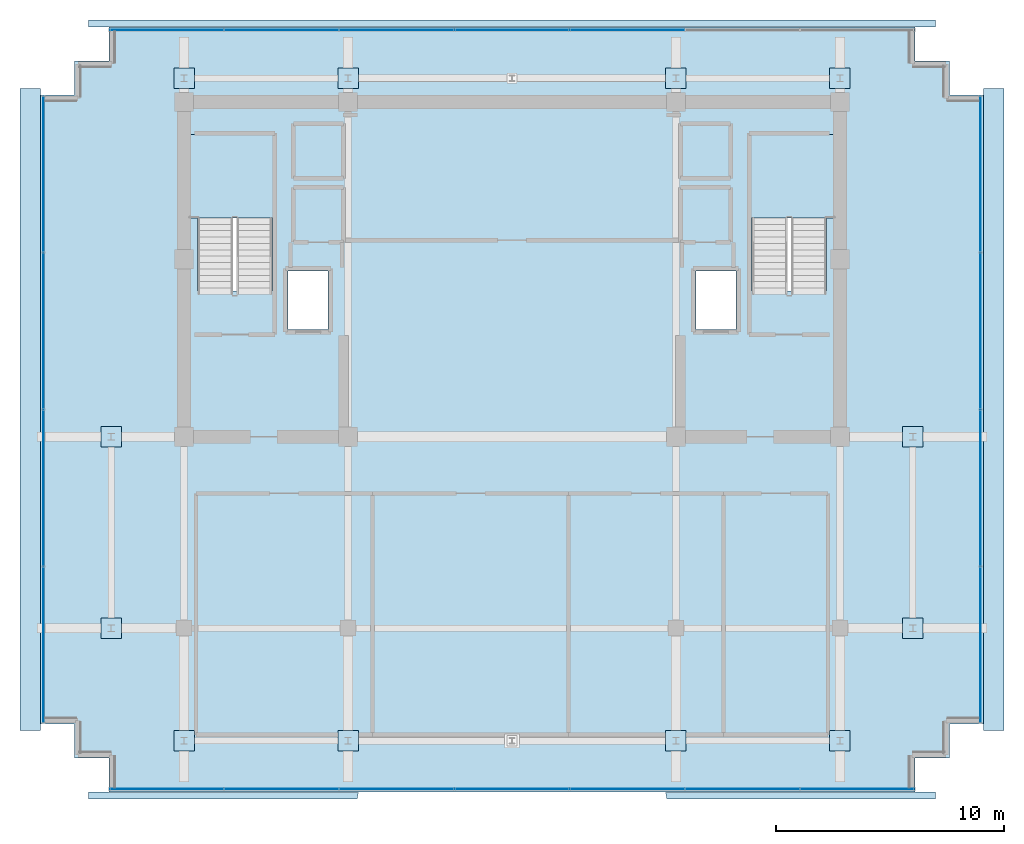
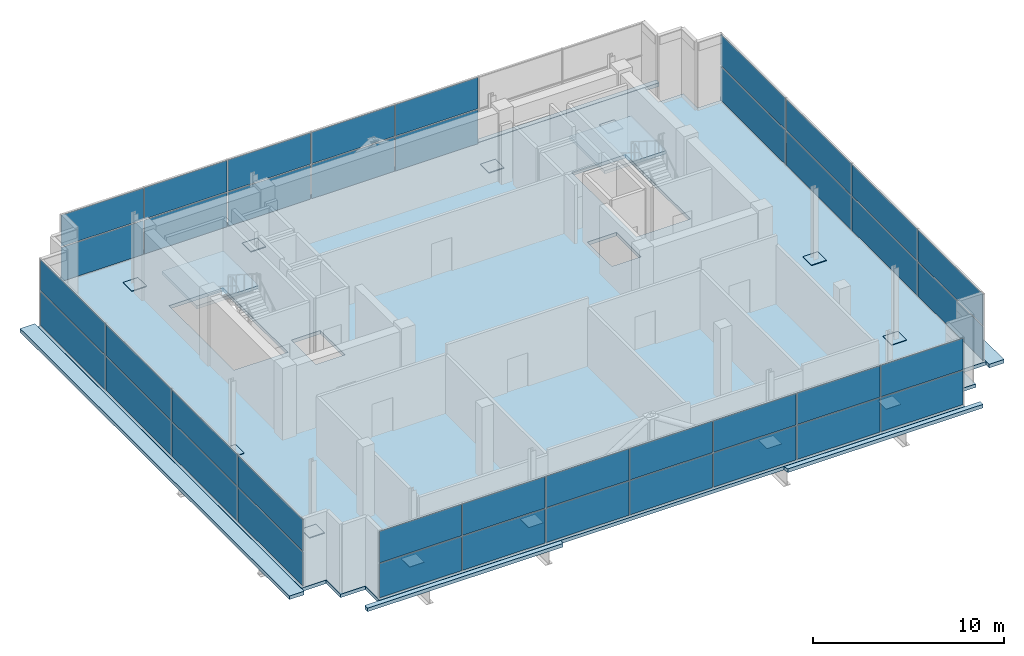
# One storey, part 23 of 28: 52 plates, 8 slabs, 6 elements without a shape of their own.
"""IFC4 building model written with IfcOpenShell, lengths in metres."""

from ifc_helpers import new_model, si_unit, direction, frame, origin, origin_2d, place, context, subcontext, project, spatial, polyline, rectangle, outline, extrude, source, transform, mapped, material, layer, layer_set, type_object, element, aggregate, save


model = new_model("IFC4")

# Units and contexts
model_context = context("Model", 3, precision=1e-05, world=origin(), true_north=direction((0.0, 1.0)))
body_context = subcontext(model_context, "Body", "Model", "MODEL_VIEW")
ifc_project = project(units=[si_unit("LENGTHUNIT", "METRE"), si_unit("AREAUNIT", "SQUARE_METRE"), si_unit("VOLUMEUNIT", "CUBIC_METRE"), si_unit("PLANEANGLEUNIT", "RADIAN"), si_unit("MASSUNIT", "GRAM", prefix="KILO")], contexts=[model_context])

# Site, building, storey
site_placement = place(None, origin())
site = spatial("IfcSite", under=ifc_project, at=site_placement, CompositionType="ELEMENT")
building_placement = place(site_placement, origin())
building = spatial("IfcBuilding", under=site, at=building_placement, Name="Zarnakvel Exchange Tower", CompositionType="ELEMENT")
storey_placement = place(building_placement, frame((0.0, 0.0, 271.60009765625)))
storey = spatial("IfcBuildingStorey", under=building, at=storey_placement, Name="Crown L77", CompositionType="ELEMENT", Elevation=271.60009765625)

# Stair, slab
ifc_material_1 = material(Name="Concrete C40/50", Category="concrete")
stair_type = type_object("IfcStairType", Name="STR-01", PredefinedType="HALF_TURN_STAIR", material=ifc_material_1)
stair_1_placement = place(storey_placement, origin())
stair_1 = element("IfcStair", 1, at=stair_1_placement, inside=storey, type_object=stair_type, Name="Crown L77 Protected Core Exit Stair ST-01", PredefinedType="HALF_TURN_STAIR")
ifc_layer_1 = layer(ifc_material_1, 0.199951171875)
ifc_layer_set_1 = layer_set([ifc_layer_1], Name="Concrete C40/50")
slab_type_1 = type_object("IfcSlabType", Name="LDG-01", PredefinedType="LANDING", material=ifc_layer_set_1)
slab_1_placement = place(storey_placement, frame((0.0, 0.0, 2.099853515625)))
slab_1 = element("IfcSlab", 2, at=slab_1_placement, type_object=slab_type_1, Name="ST-01 landing 1", PredefinedType="LANDING", context=body_context, shape_type="SweptSolid", body=[
    extrude(outline(polyline([(-14.18994140625, 8.409912109375), (-10.4599609375, 8.409912109375), (-10.4599609375, 12.080078125), (-14.18994140625, 12.080078125), (-14.18994140625, 8.409912109375)])), origin(), (0.0, 0.0, 1.0), 0.199951171875),
])
aggregate(stair_1, [slab_1])

stair_2_placement = place(storey_placement, origin())
stair_2 = element("IfcStair", 3, at=stair_2_placement, inside=storey, type_object=stair_type, Name="Crown L77 Protected Core Exit Stair ST-02", PredefinedType="HALF_TURN_STAIR")
slab_2_placement = place(storey_placement, frame((0.0, 0.0, 2.099853515625)))
slab_2 = element("IfcSlab", 4, at=slab_2_placement, type_object=slab_type_1, Name="ST-02 landing 1", PredefinedType="LANDING", context=body_context, shape_type="SweptSolid", body=[
    extrude(outline(polyline([(10.4599609375, 8.409912109375), (14.18994140625, 8.409912109375), (14.18994140625, 12.080078125), (10.4599609375, 12.080078125), (10.4599609375, 8.409912109375)])), origin(), (0.0, 0.0, 1.0), 0.199951171875),
])
aggregate(stair_2, [slab_2])

# Slabs
ifc_layer_2 = layer(ifc_material_1, 0.22998046875)
ifc_layer_set_2 = layer_set([ifc_layer_2], Name="Concrete C40/50")
slab_type_2 = type_object("IfcSlabType", Name="RF-SL1", PredefinedType="ROOF", material=ifc_layer_set_2)
slab_3_placement = place(storey_placement, frame((0.0, 0.0, -0.22998046875)))
element("IfcSlab", 5, at=slab_3_placement, inside=storey, type_object=slab_type_2, Name="Crown L77 Stepped Crown Tier Roof Slab #1", PredefinedType="ROOF", context=body_context, shape_type="SweptSolid", body=[
    extrude(outline(polyline([(-18.60009765625, -17.10009765625), (-18.60009765625, -16.800048828125), (-17.7099609375, -16.800048828125), (-17.7099609375, -16.81005859375), (-6.742431640625, -16.81005859375), (-6.800048828125, -17.10009765625), (-18.60009765625, -17.10009765625)])), origin(), (0.0, 0.0, 1.0), 0.22998046875),
])
slab_4_placement = place(storey_placement, frame((0.0, 0.0, -0.22998046875)))
element("IfcSlab", 6, at=slab_4_placement, inside=storey, type_object=slab_type_2, Name="Crown L77 Stepped Crown Tier Roof Slab #1", PredefinedType="ROOF", context=body_context, shape_type="SweptSolid", body=[
    extrude(outline(polyline([(18.60009765625, -17.10009765625), (6.800048828125, -17.10009765625), (6.742431640625, -16.81005859375), (17.7099609375, -16.81005859375), (17.7099609375, -16.800048828125), (18.60009765625, -16.800048828125), (18.60009765625, -17.10009765625)])), origin(), (0.0, 0.0, 1.0), 0.22998046875),
])
slab_5_placement = place(storey_placement, frame((0.0, 0.0, -0.22998046875)))
element("IfcSlab", 7, at=slab_5_placement, inside=storey, type_object=slab_type_2, Name="Crown L77 Stepped Crown Tier Roof Slab #2", PredefinedType="ROOF", context=body_context, shape_type="SweptSolid", body=[
    extrude(outline(polyline([(-18.60009765625, 17.10009765625), (18.60009765625, 17.10009765625), (18.60009765625, 16.800048828125), (17.7099609375, 16.800048828125), (17.7099609375, 16.81005859375), (-17.7099609375, 16.81005859375), (-17.7099609375, 16.800048828125), (-18.60009765625, 16.800048828125), (-18.60009765625, 17.10009765625)])), origin(), (0.0, 0.0, 1.0), 0.22998046875),
])
slab_6_placement = place(storey_placement, frame((0.0, 0.0, -0.22998046875)))
element("IfcSlab", 8, at=slab_6_placement, inside=storey, type_object=slab_type_2, Name="Crown L77 Stepped Crown Tier Roof Slab #3", PredefinedType="ROOF", context=body_context, shape_type="SweptSolid", body=[
    extrude(outline(polyline([(-21.60009765625, -14.10009765625), (-21.60009765625, 14.10009765625), (-20.699951171875, 14.10009765625), (-20.699951171875, 13.81005859375), (-20.7099609375, 13.81005859375), (-20.7099609375, -13.81005859375), (-20.699951171875, -13.81005859375), (-20.699951171875, -14.10009765625), (-21.60009765625, -14.10009765625)])), origin(), (0.0, 0.0, 1.0), 0.22998046875),
])
slab_7_placement = place(storey_placement, frame((0.0, 0.0, -0.22998046875)))
element("IfcSlab", 9, at=slab_7_placement, inside=storey, type_object=slab_type_2, Name="Crown L77 Stepped Crown Tier Roof Slab #4", PredefinedType="ROOF", context=body_context, shape_type="SweptSolid", body=[
    extrude(outline(polyline([(21.60009765625, 14.10009765625), (21.60009765625, -14.10009765625), (20.699951171875, -14.10009765625), (20.699951171875, -13.81005859375), (20.7099609375, -13.81005859375), (20.7099609375, 13.81005859375), (20.699951171875, 13.81005859375), (20.699951171875, 14.10009765625), (21.60009765625, 14.10009765625)])), origin(), (0.0, 0.0, 1.0), 0.22998046875),
])
ifc_layer_3 = layer(ifc_material_1, 0.219970703125)
ifc_layer_set_3 = layer_set([ifc_layer_3], Name="Concrete C40/50")
slab_type_3 = type_object("IfcSlabType", Name="SL-05", PredefinedType="FLOOR", material=ifc_layer_set_3)
slab_8_placement = place(storey_placement, frame((0.0, 0.0, -0.22021484375)))
element("IfcSlab", 10, at=slab_8_placement, inside=storey, type_object=slab_type_3, Name="Crown L77 Primary Structural Floor Slab", PredefinedType="FLOOR", context=body_context, shape_type="SweptSolid", body=[
    extrude(outline(polyline([(-20.699951171875, -13.800048828125), (-19.199951171875, -13.800048828125), (-19.199951171875, -15.300048828125), (-17.699951171875, -15.300048828125), (-17.699951171875, -16.800048828125), (17.699951171875, -16.800048828125), (17.699951171875, -15.300048828125), (19.199951171875, -15.300048828125), (19.199951171875, -13.800048828125), (20.699951171875, -13.800048828125), (20.699951171875, 13.800048828125), (19.199951171875, 13.800048828125), (19.199951171875, 15.300048828125), (17.699951171875, 15.300048828125), (17.699951171875, 16.800048828125), (-17.699951171875, 16.800048828125), (-17.699951171875, 15.300048828125), (-19.199951171875, 15.300048828125), (-19.199951171875, 13.800048828125), (-20.699951171875, 13.800048828125), (-20.699951171875, -13.800048828125)]), holes=[polyline([(-13.800048828125, 5.2099609375), (-10.5400390625, 5.2099609375), (-10.5400390625, 12.0), (-13.800048828125, 12.0), (-13.800048828125, 5.2099609375)]), polyline([(10.5400390625, 5.2099609375), (13.800048828125, 5.2099609375), (13.800048828125, 12.0), (10.5400390625, 12.0), (10.5400390625, 5.2099609375)]), polyline([(-9.830078125, 3.52001953125), (-8.070068359375, 3.52001953125), (-8.070068359375, 6.080078125), (-9.830078125, 6.080078125), (-9.830078125, 3.52001953125)]), polyline([(8.070068359375, 3.52001953125), (9.830078125, 3.52001953125), (9.830078125, 6.080078125), (8.070068359375, 6.080078125), (8.070068359375, 3.52001953125)])]), origin(), (0.0, 0.0, 1.0), 0.22021484375),
])

# Plates
ifc_material_2 = material(Name="Steel S355", Category="steel")
ifc_layer_4 = layer(ifc_material_2, 0.0380859375)
ifc_layer_set_4 = layer_set([ifc_layer_4], Name="Steel S355")
plate_type_1 = type_object("IfcPlateType", Name="BP-03", PredefinedType="USERDEFINED", material=ifc_layer_set_4)
shared_shape_1 = source(origin(), body_context, "Body", "SweptSolid", [
    extrude(rectangle(XDim=0.89990234375, YDim=0.89990234375, at=origin_2d()), origin(), (0.0, 0.0, 1.0), 0.0380859375),
])
for number, where, z_axis, x_axis, name in (
    (11, (-14.39990234375, -14.550048828125, -0.000244140625), (0.0, 0.0, 1.0), (1.0, 0.0, 0.0), "Crown L77 Column Base Plate CS-4"),
    (12, (-14.39990234375, 14.550048828125, -0.000244140625), (0.0, 0.0, 1.0), (1.0, 0.0, 0.0), "Crown L77 Column Base Plate CN-4"),
    (13, (-7.199951171875, -14.550048828125, -0.000244140625), (0.0, 0.0, 1.0), (1.0, 0.0, 0.0), "Crown L77 Column Base Plate CS-5"),
    (14, (-7.199951171875, 14.550048828125, -0.000244140625), (0.0, 0.0, 1.0), (1.0, 0.0, 0.0), "Crown L77 Column Base Plate CN-5"),
    (15, (7.199951171875, -14.550048828125, -0.000244140625), (0.0, 0.0, 1.0), (1.0, 0.0, 0.0), "Crown L77 Column Base Plate CS-8"),
    (16, (7.199951171875, 14.550048828125, -0.000244140625), (0.0, 0.0, 1.0), (1.0, 0.0, 0.0), "Crown L77 Column Base Plate CN-8"),
    (17, (14.39990234375, -14.550048828125, -0.000244140625), (0.0, 0.0, 1.0), (1.0, 0.0, 0.0), "Crown L77 Column Base Plate CS-9"),
    (18, (14.39990234375, 14.550048828125, -0.000244140625), (0.0, 0.0, 1.0), (1.0, 0.0, 0.0), "Crown L77 Column Base Plate CN-9"),
    (19, (-17.60009765625, -9.60009765625, -0.000244140625), (0.0, 0.0, 1.0), (1.0, 0.0, 0.0), "Crown L77 Column Base Plate CW-C"),
    (20, (17.60009765625, -9.60009765625, -0.000244140625), (0.0, 0.0, 1.0), (1.0, 0.0, 0.0), "Crown L77 Column Base Plate CE-C"),
    (21, (-17.60009765625, -1.199951171875, -0.000244140625), (0.0, 0.0, 1.0), (1.0, 0.0, 0.0), "Crown L77 Column Base Plate CW-D"),
    (22, (17.60009765625, -1.199951171875, -0.000244140625), (0.0, 0.0, 1.0), (1.0, 0.0, 0.0), "Crown L77 Column Base Plate CE-D"),
):
    element("IfcPlate", number, at=place(storey_placement, frame(where, z_axis=z_axis, x_axis=x_axis)), inside=storey, type_object=plate_type_1, Name=name, ObjectType="BASE_PLATE", PredefinedType="USERDEFINED", context=body_context, shape_type="MappedRepresentation", body=[
        mapped(shared_shape_1, transform((0.0, 0.0, 0.0), x_axis=(1.0, 0.0, 0.0), y_axis=(0.0, 1.0, 0.0), z_axis=(0.0, 0.0, 1.0), scale=1.0)),
    ])

# Curtain wall, plates
ifc_material_3 = material(Name="Architectural Bronze Anodised Aluminium", Category="aluminium")
ifc_layer_5 = layer(ifc_material_3, 0.14990234375)
ifc_layer_set_5 = layer_set([ifc_layer_5], Name="Architectural Bronze Anodised Aluminium")
curtain_wall_type = type_object("IfcCurtainWallType", Name="CW-07", PredefinedType="NOTDEFINED", material=ifc_layer_set_5)
curtain_wall_1_placement = place(storey_placement, origin())
curtain_wall_1 = element("IfcCurtainWall", 23, at=curtain_wall_1_placement, inside=storey, type_object=curtain_wall_type, Name="Crown L77 Curtain Wall CW-Crown L77-S (CW-07)", PredefinedType="NOTDEFINED")
ifc_material_4 = material(Name="Insulated Bronze Aluminium Spandrel Panel", Category="aluminium")
ifc_layer_6 = layer(ifc_material_4, 0.02392578125)
ifc_layer_set_6 = layer_set([ifc_layer_6], Name="Insulated Bronze Aluminium Spandrel Panel")
plate_type_2 = type_object("IfcPlateType", Name="CWP-07", PredefinedType="CURTAIN_PANEL", material=ifc_layer_set_6)
shared_shape_2 = source(origin(), body_context, "Body", "SweptSolid", [
    extrude(rectangle(XDim=4.967041015625, YDim=0.02392578125, at=origin_2d()), origin(), (0.0, 0.0, 1.0), 2.17724609375),
])
plate_1_placement = place(storey_placement, frame((-15.156494140625, -16.659912109375, 0.059814453125), z_axis=(0.0, 0.0, 1.0), x_axis=(1.0, 0.0, 0.0)))
plate_1 = element("IfcPlate", 24, at=plate_1_placement, type_object=plate_type_2, Name="CW-07 panel 1.1", PredefinedType="CURTAIN_PANEL", context=body_context, shape_type="MappedRepresentation", body=[
    mapped(shared_shape_2, transform((0.0, 0.0, 0.0), x_axis=(1.0, 0.0, 0.0), y_axis=(0.0, 1.0, 0.0), z_axis=(0.0, 0.0, 1.0), scale=1.0)),
])
plate_2_placement = place(storey_placement, frame((15.156494140625, -16.659912109375, 0.059814453125), z_axis=(0.0, 0.0, 1.0), x_axis=(1.0, 0.0, 0.0)))
plate_2 = element("IfcPlate", 25, at=plate_2_placement, type_object=plate_type_2, Name="CW-07 panel 7.1", PredefinedType="CURTAIN_PANEL", context=body_context, shape_type="MappedRepresentation", body=[
    mapped(shared_shape_2, transform((0.0, 0.0, 0.0), x_axis=(1.0, 0.0, 0.0), y_axis=(0.0, 1.0, 0.0), z_axis=(0.0, 0.0, 1.0), scale=1.0)),
])

# Curtain wall, plate
curtain_wall_2_placement = place(storey_placement, origin())
curtain_wall_2 = element("IfcCurtainWall", 26, at=curtain_wall_2_placement, inside=storey, type_object=curtain_wall_type, Name="Crown L77 Curtain Wall CW-Crown L77-N (CW-07)", PredefinedType="NOTDEFINED")
plate_3_placement = place(storey_placement, frame((-15.156494140625, 16.659912109375, 0.059814453125), z_axis=(0.0, 0.0, 1.0), x_axis=(1.0, 0.0, 0.0)))
plate_3 = element("IfcPlate", 27, at=plate_3_placement, type_object=plate_type_2, Name="CW-07 panel 1.1", PredefinedType="CURTAIN_PANEL", context=body_context, shape_type="MappedRepresentation", body=[
    mapped(shared_shape_2, transform((0.0, 0.0, 0.0), x_axis=(1.0, 0.0, 0.0), y_axis=(0.0, 1.0, 0.0), z_axis=(0.0, 0.0, 1.0), scale=1.0)),
])

# Plate
shared_shape_3 = source(origin(), body_context, "Body", "SweptSolid", [
    extrude(rectangle(XDim=4.967041015625, YDim=0.02392578125, at=origin_2d()), origin(), (0.0, 0.0, 1.0), 2.002685546875),
])
plate_4_placement = place(storey_placement, frame((-15.156494140625, -16.659912109375, 2.29736328125), z_axis=(0.0, 0.0, 1.0), x_axis=(1.0, 0.0, 0.0)))
plate_4 = element("IfcPlate", 28, at=plate_4_placement, type_object=plate_type_2, Name="CW-07 panel 1.2", PredefinedType="CURTAIN_PANEL", context=body_context, shape_type="MappedRepresentation", body=[
    mapped(shared_shape_3, transform((0.0, 0.0, 0.0), x_axis=(1.0, 0.0, 0.0), y_axis=(0.0, 1.0, 0.0), z_axis=(0.0, 0.0, 1.0), scale=1.0)),
])

plate_5_placement = place(storey_placement, frame((15.156494140625, -16.659912109375, 2.29736328125), z_axis=(0.0, 0.0, 1.0), x_axis=(1.0, 0.0, 0.0)))
plate_5 = element("IfcPlate", 29, at=plate_5_placement, type_object=plate_type_2, Name="CW-07 panel 7.2", PredefinedType="CURTAIN_PANEL", context=body_context, shape_type="MappedRepresentation", body=[
    mapped(shared_shape_3, transform((0.0, 0.0, 0.0), x_axis=(1.0, 0.0, 0.0), y_axis=(0.0, 1.0, 0.0), z_axis=(0.0, 0.0, 1.0), scale=1.0)),
])

plate_6_placement = place(storey_placement, frame((-15.156494140625, 16.659912109375, 2.29736328125), z_axis=(0.0, 0.0, 1.0), x_axis=(1.0, 0.0, 0.0)))
plate_6 = element("IfcPlate", 30, at=plate_6_placement, type_object=plate_type_2, Name="CW-07 panel 1.2", PredefinedType="CURTAIN_PANEL", context=body_context, shape_type="MappedRepresentation", body=[
    mapped(shared_shape_3, transform((0.0, 0.0, 0.0), x_axis=(1.0, 0.0, 0.0), y_axis=(0.0, 1.0, 0.0), z_axis=(0.0, 0.0, 1.0), scale=1.0)),
])

shared_shape_4 = source(origin(), body_context, "Body", "SweptSolid", [
    extrude(rectangle(XDim=4.9970703125, YDim=0.02392578125, at=origin_2d()), origin(), (0.0, 0.0, 1.0), 2.17724609375),
])
plate_7_placement = place(storey_placement, frame((-10.1142578125, -16.659912109375, 0.059814453125), z_axis=(0.0, 0.0, 1.0), x_axis=(1.0, 0.0, 0.0)))
plate_7 = element("IfcPlate", 31, at=plate_7_placement, type_object=plate_type_2, Name="CW-07 panel 2.1", PredefinedType="CURTAIN_PANEL", context=body_context, shape_type="MappedRepresentation", body=[
    mapped(shared_shape_4, transform((0.0, 0.0, 0.0), x_axis=(1.0, 0.0, 0.0), y_axis=(0.0, 1.0, 0.0), z_axis=(0.0, 0.0, 1.0), scale=1.0)),
])

plate_8_placement = place(storey_placement, frame((-5.05712890625, -16.659912109375, 0.059814453125), z_axis=(0.0, 0.0, 1.0), x_axis=(1.0, 0.0, 0.0)))
plate_8 = element("IfcPlate", 32, at=plate_8_placement, type_object=plate_type_2, Name="CW-07 panel 3.1", PredefinedType="CURTAIN_PANEL", context=body_context, shape_type="MappedRepresentation", body=[
    mapped(shared_shape_4, transform((0.0, 0.0, 0.0), x_axis=(1.0, 0.0, 0.0), y_axis=(0.0, 1.0, 0.0), z_axis=(0.0, 0.0, 1.0), scale=1.0)),
])

plate_9_placement = place(storey_placement, frame((0.0, -16.659912109375, 0.059814453125), z_axis=(0.0, 0.0, 1.0), x_axis=(1.0, 0.0, 0.0)))
plate_9 = element("IfcPlate", 33, at=plate_9_placement, type_object=plate_type_2, Name="CW-07 panel 4.1", PredefinedType="CURTAIN_PANEL", context=body_context, shape_type="MappedRepresentation", body=[
    mapped(shared_shape_4, transform((0.0, 0.0, 0.0), x_axis=(1.0, 0.0, 0.0), y_axis=(0.0, 1.0, 0.0), z_axis=(0.0, 0.0, 1.0), scale=1.0)),
])

plate_10_placement = place(storey_placement, frame((5.05712890625, -16.659912109375, 0.059814453125), z_axis=(0.0, 0.0, 1.0), x_axis=(1.0, 0.0, 0.0)))
plate_10 = element("IfcPlate", 34, at=plate_10_placement, type_object=plate_type_2, Name="CW-07 panel 5.1", PredefinedType="CURTAIN_PANEL", context=body_context, shape_type="MappedRepresentation", body=[
    mapped(shared_shape_4, transform((0.0, 0.0, 0.0), x_axis=(1.0, 0.0, 0.0), y_axis=(0.0, 1.0, 0.0), z_axis=(0.0, 0.0, 1.0), scale=1.0)),
])

plate_11_placement = place(storey_placement, frame((10.1142578125, -16.659912109375, 0.059814453125), z_axis=(0.0, 0.0, 1.0), x_axis=(1.0, 0.0, 0.0)))
plate_11 = element("IfcPlate", 35, at=plate_11_placement, type_object=plate_type_2, Name="CW-07 panel 6.1", PredefinedType="CURTAIN_PANEL", context=body_context, shape_type="MappedRepresentation", body=[
    mapped(shared_shape_4, transform((0.0, 0.0, 0.0), x_axis=(1.0, 0.0, 0.0), y_axis=(0.0, 1.0, 0.0), z_axis=(0.0, 0.0, 1.0), scale=1.0)),
])

plate_12_placement = place(storey_placement, frame((-10.1142578125, 16.659912109375, 0.059814453125), z_axis=(0.0, 0.0, 1.0), x_axis=(1.0, 0.0, 0.0)))
plate_12 = element("IfcPlate", 36, at=plate_12_placement, type_object=plate_type_2, Name="CW-07 panel 2.1", PredefinedType="CURTAIN_PANEL", context=body_context, shape_type="MappedRepresentation", body=[
    mapped(shared_shape_4, transform((0.0, 0.0, 0.0), x_axis=(1.0, 0.0, 0.0), y_axis=(0.0, 1.0, 0.0), z_axis=(0.0, 0.0, 1.0), scale=1.0)),
])

plate_13_placement = place(storey_placement, frame((-5.05712890625, 16.659912109375, 0.059814453125), z_axis=(0.0, 0.0, 1.0), x_axis=(1.0, 0.0, 0.0)))
plate_13 = element("IfcPlate", 37, at=plate_13_placement, type_object=plate_type_2, Name="CW-07 panel 3.1", PredefinedType="CURTAIN_PANEL", context=body_context, shape_type="MappedRepresentation", body=[
    mapped(shared_shape_4, transform((0.0, 0.0, 0.0), x_axis=(1.0, 0.0, 0.0), y_axis=(0.0, 1.0, 0.0), z_axis=(0.0, 0.0, 1.0), scale=1.0)),
])

plate_14_placement = place(storey_placement, frame((0.0, 16.659912109375, 0.059814453125), z_axis=(0.0, 0.0, 1.0), x_axis=(1.0, 0.0, 0.0)))
plate_14 = element("IfcPlate", 38, at=plate_14_placement, type_object=plate_type_2, Name="CW-07 panel 4.1", PredefinedType="CURTAIN_PANEL", context=body_context, shape_type="MappedRepresentation", body=[
    mapped(shared_shape_4, transform((0.0, 0.0, 0.0), x_axis=(1.0, 0.0, 0.0), y_axis=(0.0, 1.0, 0.0), z_axis=(0.0, 0.0, 1.0), scale=1.0)),
])

plate_15_placement = place(storey_placement, frame((5.05712890625, 16.659912109375, 0.059814453125), z_axis=(0.0, 0.0, 1.0), x_axis=(1.0, 0.0, 0.0)))
plate_15 = element("IfcPlate", 39, at=plate_15_placement, type_object=plate_type_2, Name="CW-07 panel 5.1", PredefinedType="CURTAIN_PANEL", context=body_context, shape_type="MappedRepresentation", body=[
    mapped(shared_shape_4, transform((0.0, 0.0, 0.0), x_axis=(1.0, 0.0, 0.0), y_axis=(0.0, 1.0, 0.0), z_axis=(0.0, 0.0, 1.0), scale=1.0)),
])

shared_shape_5 = source(origin(), body_context, "Body", "SweptSolid", [
    extrude(rectangle(XDim=4.9970703125, YDim=0.02392578125, at=origin_2d()), origin(), (0.0, 0.0, 1.0), 2.002685546875),
])
plate_16_placement = place(storey_placement, frame((-10.1142578125, -16.659912109375, 2.29736328125), z_axis=(0.0, 0.0, 1.0), x_axis=(1.0, 0.0, 0.0)))
plate_16 = element("IfcPlate", 40, at=plate_16_placement, type_object=plate_type_2, Name="CW-07 panel 2.2", PredefinedType="CURTAIN_PANEL", context=body_context, shape_type="MappedRepresentation", body=[
    mapped(shared_shape_5, transform((0.0, 0.0, 0.0), x_axis=(1.0, 0.0, 0.0), y_axis=(0.0, 1.0, 0.0), z_axis=(0.0, 0.0, 1.0), scale=1.0)),
])

plate_17_placement = place(storey_placement, frame((-5.05712890625, -16.659912109375, 2.29736328125), z_axis=(0.0, 0.0, 1.0), x_axis=(1.0, 0.0, 0.0)))
plate_17 = element("IfcPlate", 41, at=plate_17_placement, type_object=plate_type_2, Name="CW-07 panel 3.2", PredefinedType="CURTAIN_PANEL", context=body_context, shape_type="MappedRepresentation", body=[
    mapped(shared_shape_5, transform((0.0, 0.0, 0.0), x_axis=(1.0, 0.0, 0.0), y_axis=(0.0, 1.0, 0.0), z_axis=(0.0, 0.0, 1.0), scale=1.0)),
])

plate_18_placement = place(storey_placement, frame((0.0, -16.659912109375, 2.29736328125), z_axis=(0.0, 0.0, 1.0), x_axis=(1.0, 0.0, 0.0)))
plate_18 = element("IfcPlate", 42, at=plate_18_placement, type_object=plate_type_2, Name="CW-07 panel 4.2", PredefinedType="CURTAIN_PANEL", context=body_context, shape_type="MappedRepresentation", body=[
    mapped(shared_shape_5, transform((0.0, 0.0, 0.0), x_axis=(1.0, 0.0, 0.0), y_axis=(0.0, 1.0, 0.0), z_axis=(0.0, 0.0, 1.0), scale=1.0)),
])

plate_19_placement = place(storey_placement, frame((5.05712890625, -16.659912109375, 2.29736328125), z_axis=(0.0, 0.0, 1.0), x_axis=(1.0, 0.0, 0.0)))
plate_19 = element("IfcPlate", 43, at=plate_19_placement, type_object=plate_type_2, Name="CW-07 panel 5.2", PredefinedType="CURTAIN_PANEL", context=body_context, shape_type="MappedRepresentation", body=[
    mapped(shared_shape_5, transform((0.0, 0.0, 0.0), x_axis=(1.0, 0.0, 0.0), y_axis=(0.0, 1.0, 0.0), z_axis=(0.0, 0.0, 1.0), scale=1.0)),
])

plate_20_placement = place(storey_placement, frame((10.1142578125, -16.659912109375, 2.29736328125), z_axis=(0.0, 0.0, 1.0), x_axis=(1.0, 0.0, 0.0)))
plate_20 = element("IfcPlate", 44, at=plate_20_placement, type_object=plate_type_2, Name="CW-07 panel 6.2", PredefinedType="CURTAIN_PANEL", context=body_context, shape_type="MappedRepresentation", body=[
    mapped(shared_shape_5, transform((0.0, 0.0, 0.0), x_axis=(1.0, 0.0, 0.0), y_axis=(0.0, 1.0, 0.0), z_axis=(0.0, 0.0, 1.0), scale=1.0)),
])

aggregate(curtain_wall_1, [plate_1, plate_4, plate_7, plate_16, plate_8, plate_17, plate_9, plate_18, plate_10, plate_19, plate_11, plate_20, plate_2, plate_5])

plate_21_placement = place(storey_placement, frame((-10.1142578125, 16.659912109375, 2.29736328125), z_axis=(0.0, 0.0, 1.0), x_axis=(1.0, 0.0, 0.0)))
plate_21 = element("IfcPlate", 45, at=plate_21_placement, type_object=plate_type_2, Name="CW-07 panel 2.2", PredefinedType="CURTAIN_PANEL", context=body_context, shape_type="MappedRepresentation", body=[
    mapped(shared_shape_5, transform((0.0, 0.0, 0.0), x_axis=(1.0, 0.0, 0.0), y_axis=(0.0, 1.0, 0.0), z_axis=(0.0, 0.0, 1.0), scale=1.0)),
])

plate_22_placement = place(storey_placement, frame((-5.05712890625, 16.659912109375, 2.29736328125), z_axis=(0.0, 0.0, 1.0), x_axis=(1.0, 0.0, 0.0)))
plate_22 = element("IfcPlate", 46, at=plate_22_placement, type_object=plate_type_2, Name="CW-07 panel 3.2", PredefinedType="CURTAIN_PANEL", context=body_context, shape_type="MappedRepresentation", body=[
    mapped(shared_shape_5, transform((0.0, 0.0, 0.0), x_axis=(1.0, 0.0, 0.0), y_axis=(0.0, 1.0, 0.0), z_axis=(0.0, 0.0, 1.0), scale=1.0)),
])

plate_23_placement = place(storey_placement, frame((0.0, 16.659912109375, 2.29736328125), z_axis=(0.0, 0.0, 1.0), x_axis=(1.0, 0.0, 0.0)))
plate_23 = element("IfcPlate", 47, at=plate_23_placement, type_object=plate_type_2, Name="CW-07 panel 4.2", PredefinedType="CURTAIN_PANEL", context=body_context, shape_type="MappedRepresentation", body=[
    mapped(shared_shape_5, transform((0.0, 0.0, 0.0), x_axis=(1.0, 0.0, 0.0), y_axis=(0.0, 1.0, 0.0), z_axis=(0.0, 0.0, 1.0), scale=1.0)),
])

plate_24_placement = place(storey_placement, frame((5.05712890625, 16.659912109375, 2.29736328125), z_axis=(0.0, 0.0, 1.0), x_axis=(1.0, 0.0, 0.0)))
plate_24 = element("IfcPlate", 48, at=plate_24_placement, type_object=plate_type_2, Name="CW-07 panel 5.2", PredefinedType="CURTAIN_PANEL", context=body_context, shape_type="MappedRepresentation", body=[
    mapped(shared_shape_5, transform((0.0, 0.0, 0.0), x_axis=(1.0, 0.0, 0.0), y_axis=(0.0, 1.0, 0.0), z_axis=(0.0, 0.0, 1.0), scale=1.0)),
])

aggregate(curtain_wall_2, [plate_3, plate_6, plate_12, plate_21, plate_13, plate_22, plate_14, plate_23, plate_15, plate_24])

# Curtain wall, plates
curtain_wall_3_placement = place(storey_placement, origin())
curtain_wall_3 = element("IfcCurtainWall", 49, at=curtain_wall_3_placement, inside=storey, type_object=curtain_wall_type, Name="Crown L77 Curtain Wall CW-Crown L77-W (CW-07)", PredefinedType="NOTDEFINED")
shared_shape_6 = source(origin(), body_context, "Body", "SweptSolid", [
    extrude(rectangle(XDim=6.81005859375, YDim=0.02392578125, at=origin_2d()), origin(), (0.0, 0.0, 1.0), 2.17724609375),
])
plate_25_placement = place(storey_placement, frame((-20.56005859375, -10.3349609375, 0.059814453125), z_axis=(0.0, 0.0, 1.0), x_axis=(0.0, 1.0, 0.0)))
plate_25 = element("IfcPlate", 50, at=plate_25_placement, type_object=plate_type_2, Name="CW-07 panel 1.1", PredefinedType="CURTAIN_PANEL", context=body_context, shape_type="MappedRepresentation", body=[
    mapped(shared_shape_6, transform((0.0, 0.0, 0.0), x_axis=(1.0, 0.0, 0.0), y_axis=(0.0, 1.0, 0.0), z_axis=(0.0, 0.0, 1.0), scale=1.0)),
])
plate_26_placement = place(storey_placement, frame((-20.56005859375, 10.3349609375, 0.059814453125), z_axis=(0.0, 0.0, 1.0), x_axis=(0.0, 1.0, 0.0)))
plate_26 = element("IfcPlate", 51, at=plate_26_placement, type_object=plate_type_2, Name="CW-07 panel 4.1", PredefinedType="CURTAIN_PANEL", context=body_context, shape_type="MappedRepresentation", body=[
    mapped(shared_shape_6, transform((0.0, 0.0, 0.0), x_axis=(1.0, 0.0, 0.0), y_axis=(0.0, 1.0, 0.0), z_axis=(0.0, 0.0, 1.0), scale=1.0)),
])

curtain_wall_4_placement = place(storey_placement, origin())
curtain_wall_4 = element("IfcCurtainWall", 52, at=curtain_wall_4_placement, inside=storey, type_object=curtain_wall_type, Name="Crown L77 Curtain Wall CW-Crown L77-E (CW-07)", PredefinedType="NOTDEFINED")
plate_27_placement = place(storey_placement, frame((20.56005859375, -10.3349609375, 0.059814453125), z_axis=(0.0, 0.0, 1.0), x_axis=(0.0, 1.0, 0.0)))
plate_27 = element("IfcPlate", 53, at=plate_27_placement, type_object=plate_type_2, Name="CW-07 panel 1.1", PredefinedType="CURTAIN_PANEL", context=body_context, shape_type="MappedRepresentation", body=[
    mapped(shared_shape_6, transform((0.0, 0.0, 0.0), x_axis=(1.0, 0.0, 0.0), y_axis=(0.0, 1.0, 0.0), z_axis=(0.0, 0.0, 1.0), scale=1.0)),
])
plate_28_placement = place(storey_placement, frame((20.56005859375, 10.3349609375, 0.059814453125), z_axis=(0.0, 0.0, 1.0), x_axis=(0.0, 1.0, 0.0)))
plate_28 = element("IfcPlate", 54, at=plate_28_placement, type_object=plate_type_2, Name="CW-07 panel 4.1", PredefinedType="CURTAIN_PANEL", context=body_context, shape_type="MappedRepresentation", body=[
    mapped(shared_shape_6, transform((0.0, 0.0, 0.0), x_axis=(1.0, 0.0, 0.0), y_axis=(0.0, 1.0, 0.0), z_axis=(0.0, 0.0, 1.0), scale=1.0)),
])

# Plate
shared_shape_7 = source(origin(), body_context, "Body", "SweptSolid", [
    extrude(rectangle(XDim=6.81005859375, YDim=0.02392578125, at=origin_2d()), origin(), (0.0, 0.0, 1.0), 2.002685546875),
])
plate_29_placement = place(storey_placement, frame((-20.56005859375, -10.3349609375, 2.29736328125), z_axis=(0.0, 0.0, 1.0), x_axis=(0.0, 1.0, 0.0)))
plate_29 = element("IfcPlate", 55, at=plate_29_placement, type_object=plate_type_2, Name="CW-07 panel 1.2", PredefinedType="CURTAIN_PANEL", context=body_context, shape_type="MappedRepresentation", body=[
    mapped(shared_shape_7, transform((0.0, 0.0, 0.0), x_axis=(1.0, 0.0, 0.0), y_axis=(0.0, 1.0, 0.0), z_axis=(0.0, 0.0, 1.0), scale=1.0)),
])

plate_30_placement = place(storey_placement, frame((-20.56005859375, 10.3349609375, 2.29736328125), z_axis=(0.0, 0.0, 1.0), x_axis=(0.0, 1.0, 0.0)))
plate_30 = element("IfcPlate", 56, at=plate_30_placement, type_object=plate_type_2, Name="CW-07 panel 4.2", PredefinedType="CURTAIN_PANEL", context=body_context, shape_type="MappedRepresentation", body=[
    mapped(shared_shape_7, transform((0.0, 0.0, 0.0), x_axis=(1.0, 0.0, 0.0), y_axis=(0.0, 1.0, 0.0), z_axis=(0.0, 0.0, 1.0), scale=1.0)),
])

plate_31_placement = place(storey_placement, frame((20.56005859375, -10.3349609375, 2.29736328125), z_axis=(0.0, 0.0, 1.0), x_axis=(0.0, 1.0, 0.0)))
plate_31 = element("IfcPlate", 57, at=plate_31_placement, type_object=plate_type_2, Name="CW-07 panel 1.2", PredefinedType="CURTAIN_PANEL", context=body_context, shape_type="MappedRepresentation", body=[
    mapped(shared_shape_7, transform((0.0, 0.0, 0.0), x_axis=(1.0, 0.0, 0.0), y_axis=(0.0, 1.0, 0.0), z_axis=(0.0, 0.0, 1.0), scale=1.0)),
])

plate_32_placement = place(storey_placement, frame((20.56005859375, 10.3349609375, 2.29736328125), z_axis=(0.0, 0.0, 1.0), x_axis=(0.0, 1.0, 0.0)))
plate_32 = element("IfcPlate", 58, at=plate_32_placement, type_object=plate_type_2, Name="CW-07 panel 4.2", PredefinedType="CURTAIN_PANEL", context=body_context, shape_type="MappedRepresentation", body=[
    mapped(shared_shape_7, transform((0.0, 0.0, 0.0), x_axis=(1.0, 0.0, 0.0), y_axis=(0.0, 1.0, 0.0), z_axis=(0.0, 0.0, 1.0), scale=1.0)),
])

shared_shape_8 = source(origin(), body_context, "Body", "SweptSolid", [
    extrude(rectangle(XDim=6.840087890625, YDim=0.02392578125, at=origin_2d()), origin(), (0.0, 0.0, 1.0), 2.17724609375),
])
plate_33_placement = place(storey_placement, frame((-20.56005859375, -3.449951171875, 0.059814453125), z_axis=(0.0, 0.0, 1.0), x_axis=(0.0, 1.0, 0.0)))
plate_33 = element("IfcPlate", 59, at=plate_33_placement, type_object=plate_type_2, Name="CW-07 panel 2.1", PredefinedType="CURTAIN_PANEL", context=body_context, shape_type="MappedRepresentation", body=[
    mapped(shared_shape_8, transform((0.0, 0.0, 0.0), x_axis=(1.0, 0.0, 0.0), y_axis=(0.0, 1.0, 0.0), z_axis=(0.0, 0.0, 1.0), scale=1.0)),
])

plate_34_placement = place(storey_placement, frame((-20.56005859375, 3.449951171875, 0.059814453125), z_axis=(0.0, 0.0, 1.0), x_axis=(0.0, 1.0, 0.0)))
plate_34 = element("IfcPlate", 60, at=plate_34_placement, type_object=plate_type_2, Name="CW-07 panel 3.1", PredefinedType="CURTAIN_PANEL", context=body_context, shape_type="MappedRepresentation", body=[
    mapped(shared_shape_8, transform((0.0, 0.0, 0.0), x_axis=(1.0, 0.0, 0.0), y_axis=(0.0, 1.0, 0.0), z_axis=(0.0, 0.0, 1.0), scale=1.0)),
])

plate_35_placement = place(storey_placement, frame((20.56005859375, -3.449951171875, 0.059814453125), z_axis=(0.0, 0.0, 1.0), x_axis=(0.0, 1.0, 0.0)))
plate_35 = element("IfcPlate", 61, at=plate_35_placement, type_object=plate_type_2, Name="CW-07 panel 2.1", PredefinedType="CURTAIN_PANEL", context=body_context, shape_type="MappedRepresentation", body=[
    mapped(shared_shape_8, transform((0.0, 0.0, 0.0), x_axis=(1.0, 0.0, 0.0), y_axis=(0.0, 1.0, 0.0), z_axis=(0.0, 0.0, 1.0), scale=1.0)),
])

plate_36_placement = place(storey_placement, frame((20.56005859375, 3.449951171875, 0.059814453125), z_axis=(0.0, 0.0, 1.0), x_axis=(0.0, 1.0, 0.0)))
plate_36 = element("IfcPlate", 62, at=plate_36_placement, type_object=plate_type_2, Name="CW-07 panel 3.1", PredefinedType="CURTAIN_PANEL", context=body_context, shape_type="MappedRepresentation", body=[
    mapped(shared_shape_8, transform((0.0, 0.0, 0.0), x_axis=(1.0, 0.0, 0.0), y_axis=(0.0, 1.0, 0.0), z_axis=(0.0, 0.0, 1.0), scale=1.0)),
])

shared_shape_9 = source(origin(), body_context, "Body", "SweptSolid", [
    extrude(rectangle(XDim=6.840087890625, YDim=0.02392578125, at=origin_2d()), origin(), (0.0, 0.0, 1.0), 2.002685546875),
])
plate_37_placement = place(storey_placement, frame((-20.56005859375, -3.449951171875, 2.29736328125), z_axis=(0.0, 0.0, 1.0), x_axis=(0.0, 1.0, 0.0)))
plate_37 = element("IfcPlate", 63, at=plate_37_placement, type_object=plate_type_2, Name="CW-07 panel 2.2", PredefinedType="CURTAIN_PANEL", context=body_context, shape_type="MappedRepresentation", body=[
    mapped(shared_shape_9, transform((0.0, 0.0, 0.0), x_axis=(1.0, 0.0, 0.0), y_axis=(0.0, 1.0, 0.0), z_axis=(0.0, 0.0, 1.0), scale=1.0)),
])

plate_38_placement = place(storey_placement, frame((-20.56005859375, 3.449951171875, 2.29736328125), z_axis=(0.0, 0.0, 1.0), x_axis=(0.0, 1.0, 0.0)))
plate_38 = element("IfcPlate", 64, at=plate_38_placement, type_object=plate_type_2, Name="CW-07 panel 3.2", PredefinedType="CURTAIN_PANEL", context=body_context, shape_type="MappedRepresentation", body=[
    mapped(shared_shape_9, transform((0.0, 0.0, 0.0), x_axis=(1.0, 0.0, 0.0), y_axis=(0.0, 1.0, 0.0), z_axis=(0.0, 0.0, 1.0), scale=1.0)),
])

aggregate(curtain_wall_3, [plate_25, plate_29, plate_33, plate_37, plate_34, plate_38, plate_26, plate_30])

plate_39_placement = place(storey_placement, frame((20.56005859375, -3.449951171875, 2.29736328125), z_axis=(0.0, 0.0, 1.0), x_axis=(0.0, 1.0, 0.0)))
plate_39 = element("IfcPlate", 65, at=plate_39_placement, type_object=plate_type_2, Name="CW-07 panel 2.2", PredefinedType="CURTAIN_PANEL", context=body_context, shape_type="MappedRepresentation", body=[
    mapped(shared_shape_9, transform((0.0, 0.0, 0.0), x_axis=(1.0, 0.0, 0.0), y_axis=(0.0, 1.0, 0.0), z_axis=(0.0, 0.0, 1.0), scale=1.0)),
])

plate_40_placement = place(storey_placement, frame((20.56005859375, 3.449951171875, 2.29736328125), z_axis=(0.0, 0.0, 1.0), x_axis=(0.0, 1.0, 0.0)))
plate_40 = element("IfcPlate", 66, at=plate_40_placement, type_object=plate_type_2, Name="CW-07 panel 3.2", PredefinedType="CURTAIN_PANEL", context=body_context, shape_type="MappedRepresentation", body=[
    mapped(shared_shape_9, transform((0.0, 0.0, 0.0), x_axis=(1.0, 0.0, 0.0), y_axis=(0.0, 1.0, 0.0), z_axis=(0.0, 0.0, 1.0), scale=1.0)),
])

aggregate(curtain_wall_4, [plate_27, plate_31, plate_35, plate_39, plate_36, plate_40, plate_28, plate_32])

save(model, "model.ifc")
